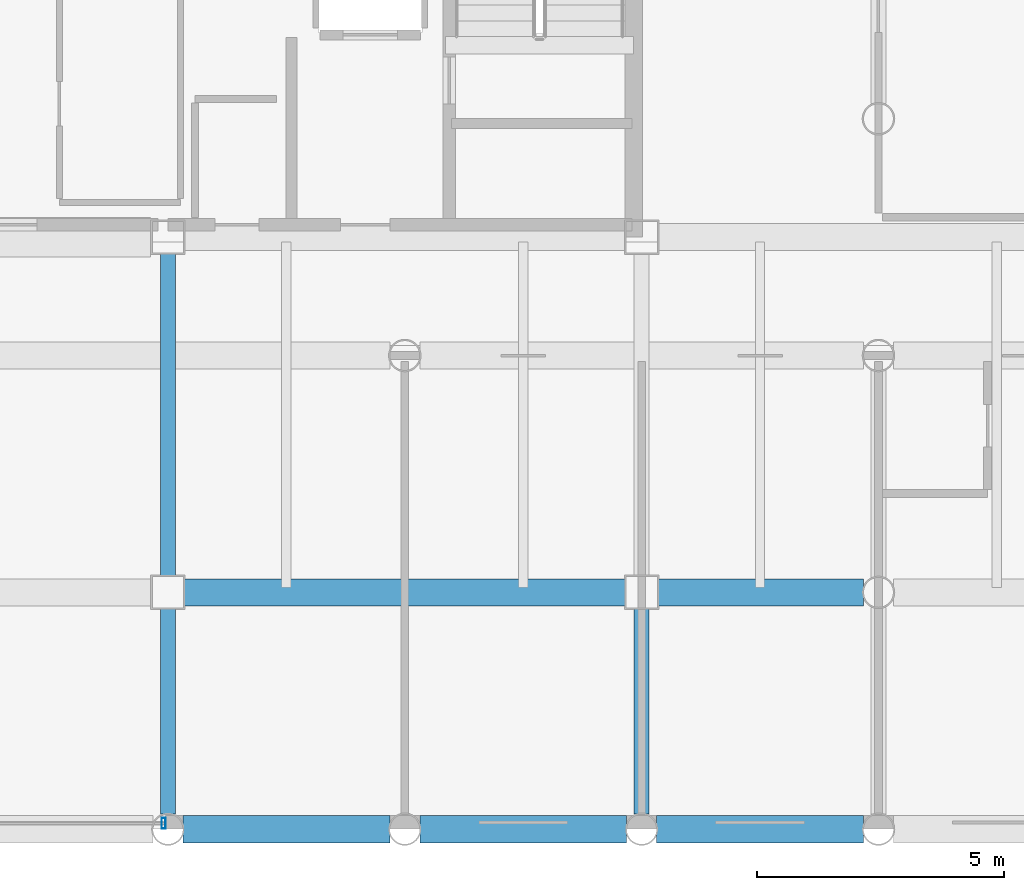
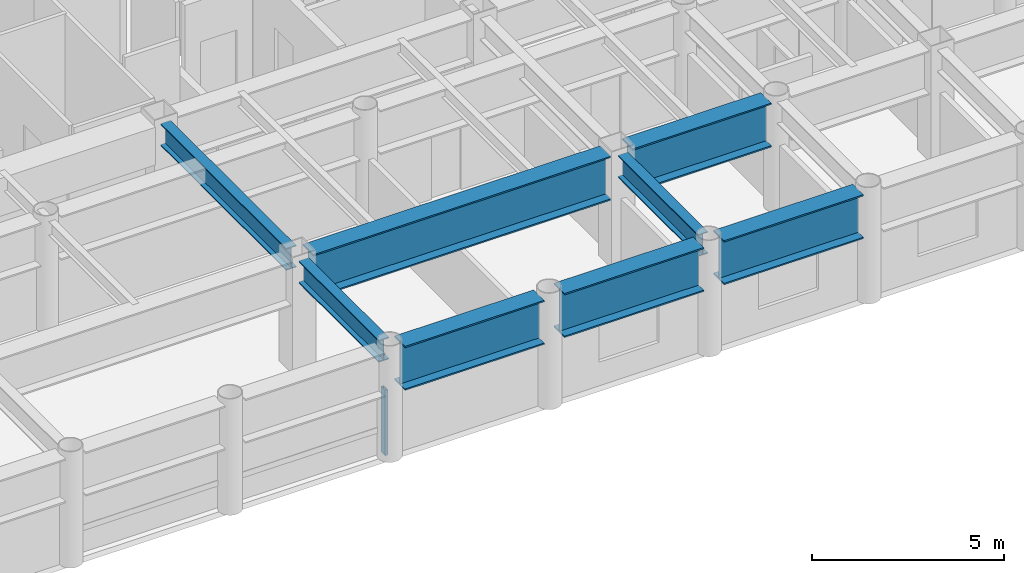
# One storey, part 7 of 22: 8 beams, 1 member, 1 element without a shape of its own.
"""IFC4 building model written with IfcOpenShell, lengths in metres."""

from ifc_helpers import new_model, si_unit, direction, frame, origin, origin_2d, place, context, subcontext, project, spatial, hollow_rectangle, i_section, extrude, material, layer, layer_set, material_profile, profile_set, type_object, element, aggregate, save


model = new_model("IFC4")

# Units and contexts
model_context = context("Model", 3, precision=1e-05, world=origin(), true_north=direction((0.0, 1.0)))
body_context = subcontext(model_context, "Body", "Model", "MODEL_VIEW")
ifc_project = project(units=[si_unit("LENGTHUNIT", "METRE"), si_unit("AREAUNIT", "SQUARE_METRE"), si_unit("VOLUMEUNIT", "CUBIC_METRE"), si_unit("PLANEANGLEUNIT", "RADIAN"), si_unit("MASSUNIT", "GRAM", prefix="KILO")], contexts=[model_context])

# Site, building, storey
site_placement = place(None, origin())
site = spatial("IfcSite", under=ifc_project, at=site_placement, CompositionType="ELEMENT")
building_placement = place(site_placement, origin())
building = spatial("IfcBuilding", under=site, at=building_placement, Name="Kallvorn Hotel Tower", CompositionType="ELEMENT")
storey_placement = place(building_placement, frame((0.0, 0.0, 95.199951171875)))
storey = spatial("IfcBuildingStorey", under=building, at=storey_placement, Name="L22", CompositionType="ELEMENT", Elevation=95.199951171875)

# Beams
ifc_material_1 = material(Name="Structural steel S355JR", Category="steel")
ifc_material_profile_1 = material_profile(ifc_material_1, i_section(OverallWidth=0.300048828125, OverallDepth=0.699951171875, WebThickness=0.01708984375, FlangeThickness=0.031982421875, at=origin_2d()), Name="HE 700 B")
ifc_profile_set_1 = profile_set([ifc_material_profile_1], Name="Structural steel S355JR")
beam_type_1 = type_object("IfcBeamType", Name="BM_HE700B", PredefinedType="BEAM", material=ifc_profile_set_1)
beam_1_placement = place(storey_placement, frame((4.800048828125, -18.89501953125, 3.170166015625), z_axis=(0.0, 1.0, 0.0), x_axis=(-1.0, 0.0, 0.0)))
element("IfcBeam", 1, at=beam_1_placement, inside=storey, type_object=beam_type_1, Name="L23 Primary Y-Girder 113", PredefinedType="BEAM", context=body_context, shape_type="SweptSolid", body=[
    extrude(i_section(OverallWidth=0.300048828125, OverallDepth=0.699951171875, WebThickness=0.01708984375, FlangeThickness=0.031982421875, at=origin_2d()), origin(), (0.0, 0.0, 1.0), 4.169921875),
])
beam_2_placement = place(storey_placement, frame((4.800048828125, -14.074951171875, 3.170166015625), z_axis=(0.0, 1.0, 0.0), x_axis=(-1.0, 0.0, 0.0)))
element("IfcBeam", 2, at=beam_2_placement, inside=storey, type_object=beam_type_1, Name="L23 Primary Y-Girder 114", PredefinedType="BEAM", context=body_context, shape_type="SweptSolid", body=[
    extrude(i_section(OverallWidth=0.300048828125, OverallDepth=0.699951171875, WebThickness=0.01708984375, FlangeThickness=0.031982421875, at=origin_2d()), origin(), (0.0, 0.0, 1.0), 6.550048828125),
])
beam_3_placement = place(storey_placement, frame((14.39990234375, -18.89501953125, 3.170166015625), z_axis=(0.0, 1.0, 0.0), x_axis=(-1.0, 0.0, 0.0)))
element("IfcBeam", 3, at=beam_3_placement, inside=storey, type_object=beam_type_1, Name="L23 Primary Y-Girder 121", PredefinedType="BEAM", context=body_context, shape_type="SweptSolid", body=[
    extrude(i_section(OverallWidth=0.300048828125, OverallDepth=0.699951171875, WebThickness=0.01708984375, FlangeThickness=0.031982421875, at=origin_2d()), origin(), (0.0, 0.0, 1.0), 4.169921875),
])
ifc_material_2 = material(Name="Structural steel S355JR", Category="steel")
ifc_material_profile_2 = material_profile(ifc_material_2, i_section(OverallWidth=0.550048828125, OverallDepth=1.39990234375, WebThickness=0.02490234375, FlangeThickness=0.044921875, at=origin_2d()), Name="PG 1400x550x25x45")
ifc_profile_set_2 = profile_set([ifc_material_profile_2], Name="Structural steel S355JR")
beam_type_2 = type_object("IfcBeamType", Name="BM_PG_1400", PredefinedType="BEAM", material=ifc_profile_set_2)
for number, where, z_axis, x_axis, name in (
    (4, (5.10498046875, -19.199951171875, 2.820068359375), (1.0, 0.0, 0.0), (0.0, 1.0, 0.0), "L23 Primary X-Girder 08"),
    (5, (9.905029296875, -19.199951171875, 2.820068359375), (1.0, 0.0, 0.0), (0.0, 1.0, 0.0), "L23 Primary X-Girder 09"),
    (6, (14.705078125, -19.199951171875, 2.820068359375), (1.0, 0.0, 0.0), (0.0, 1.0, 0.0), "L23 Primary X-Girder 10"),
):
    element("IfcBeam", number, at=place(storey_placement, frame(where, z_axis=z_axis, x_axis=x_axis)), inside=storey, type_object=beam_type_2, Name=name, PredefinedType="BEAM", context=body_context, shape_type="SweptSolid", body=[
        extrude(i_section(OverallWidth=0.550048828125, OverallDepth=1.39990234375, WebThickness=0.02490234375, FlangeThickness=0.044921875, at=origin_2d()), origin(), (0.0, 0.0, 1.0), 4.18994140625),
    ])
beam_4_placement = place(storey_placement, frame((5.125, -14.39990234375, 2.820068359375), z_axis=(1.0, 0.0, 0.0), x_axis=(0.0, 1.0, 0.0)))
element("IfcBeam", 7, at=beam_4_placement, inside=storey, type_object=beam_type_2, Name="L23 Primary X-Girder 18", PredefinedType="BEAM", context=body_context, shape_type="SweptSolid", body=[
    extrude(i_section(OverallWidth=0.550048828125, OverallDepth=1.39990234375, WebThickness=0.02490234375, FlangeThickness=0.044921875, at=origin_2d()), origin(), (0.0, 0.0, 1.0), 8.949951171875),
])
beam_5_placement = place(storey_placement, frame((14.72509765625, -14.39990234375, 2.820068359375), z_axis=(1.0, 0.0, 0.0), x_axis=(0.0, 1.0, 0.0)))
element("IfcBeam", 8, at=beam_5_placement, inside=storey, type_object=beam_type_2, Name="L23 Primary X-Girder 19", PredefinedType="BEAM", context=body_context, shape_type="SweptSolid", body=[
    extrude(i_section(OverallWidth=0.550048828125, OverallDepth=1.39990234375, WebThickness=0.02490234375, FlangeThickness=0.044921875, at=origin_2d()), origin(), (0.0, 0.0, 1.0), 4.169921875),
])

# Curtain wall, member
ifc_material_3 = material(Name="Thermally broken black-anodised aluminium AA 6063-T6", Category="aluminium")
ifc_layer = layer(ifc_material_3, 0.199951171875)
ifc_layer_set = layer_set([ifc_layer], Name="CW_SYS_3_HOTEL_LOW")
curtain_wall_type = type_object("IfcCurtainWallType", Name="CW_SYS_3_HOTEL_LOW", PredefinedType="USERDEFINED", material=ifc_layer_set)
curtain_wall_placement = place(storey_placement, origin())
curtain_wall = element("IfcCurtainWall", 9, at=curtain_wall_placement, inside=storey, type_object=curtain_wall_type, Name="L22 Dark-Glass Curtain Wall CW-L22-SC", ObjectType="UNITISED CURTAIN WALL", PredefinedType="USERDEFINED")
ifc_material_4 = material(Name="Thermally broken black-anodised aluminium AA 6063-T6", Category="aluminium")
ifc_material_profile_3 = material_profile(ifc_material_4, hollow_rectangle(XDim=0.080078125, YDim=0.219970703125, WallThickness=0.0048828125, at=origin_2d()), Name="MUL 220x80")
ifc_profile_set_3 = profile_set([ifc_material_profile_3], Name="Thermally broken black-anodised aluminium AA 6063-T6")
member_type = type_object("IfcMemberType", Name="CW_MULLION_220x80", PredefinedType="MULLION", material=ifc_profile_set_3)
member_placement = place(storey_placement, frame((4.7099609375, -19.080078125, 0.02001953125), z_axis=(0.0, 0.0, 1.0), x_axis=(1.0, 0.0, 0.0)))
member = element("IfcMember", 10, at=member_placement, type_object=member_type, Name="CW-L22-SC Mullion 02", PredefinedType="MULLION", context=body_context, shape_type="SweptSolid", body=[
    extrude(hollow_rectangle(XDim=0.080078125, YDim=0.219970703125, WallThickness=0.0048828125, at=origin_2d()), origin(), (0.0, 0.0, 1.0), 2.080078125),
])
aggregate(curtain_wall, [member])

save(model, "model.ifc")
